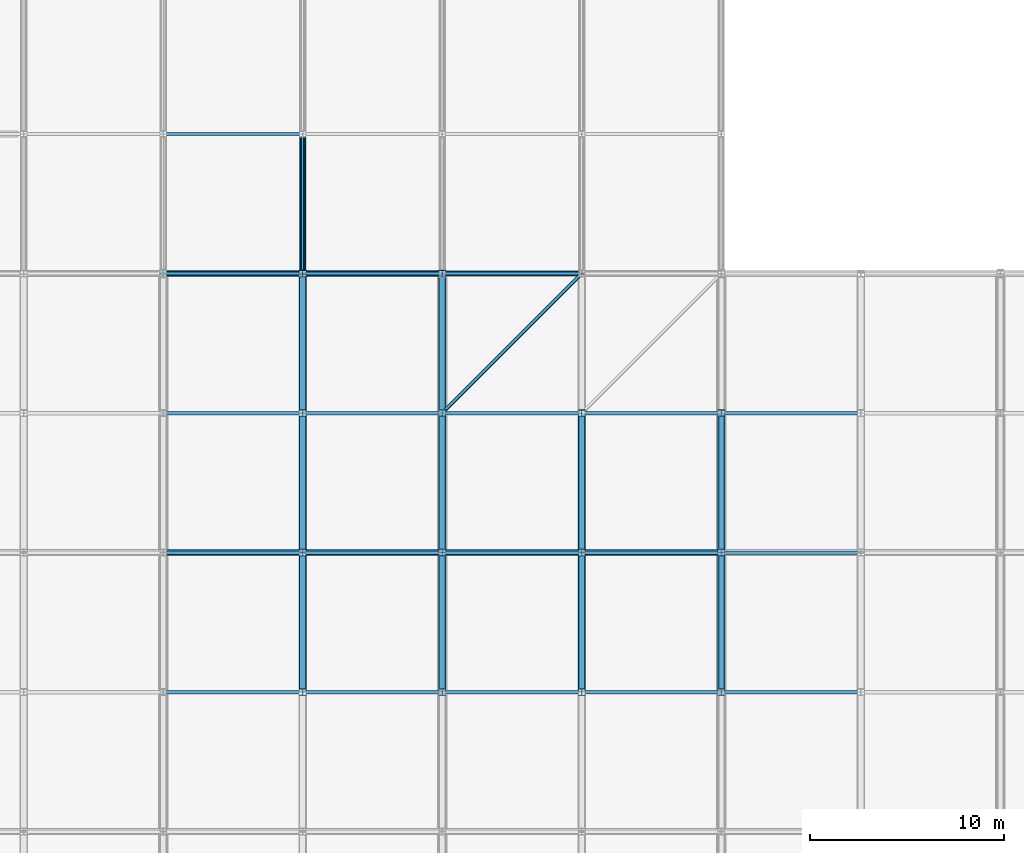
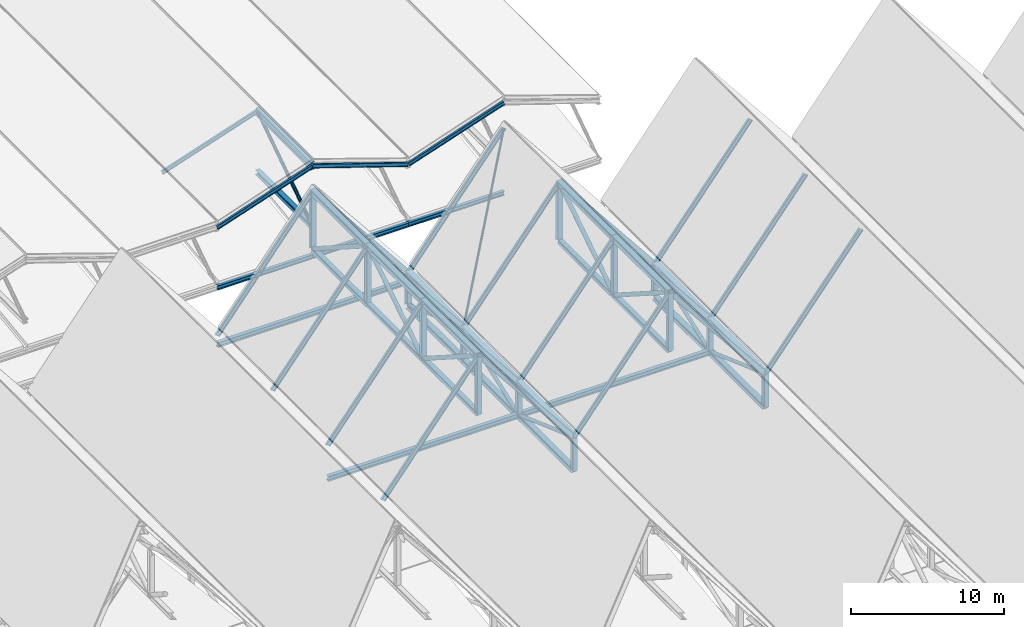
# One storey, part 25 of 60: 70 members, 6 beams.
"""IFC4 building model written with IfcOpenShell, lengths in metres."""

import ifcopenshell
import ifcopenshell.guid

model = None  # the IFC model being written
_history = None  # IfcOwnerHistory: only IFC2X3 demands one
_inside = {}  # id of a spatial element -> (the spatial element, [elements in it])
_under = {}  # id of a project, library or spatial element -> (it, [spatial elements below it])
_declared = {}  # id of a project -> (the project, [libraries it declares])
_typed = {}  # id of a type object -> (the type object, [elements of that type])
_made_of = {}  # id of a material, layer set ... -> (it, [elements and type objects made of it])


def new_model(schema):
    """Start an empty IFC model of exactly this schema.

    Asked for "IFC4X3", IfcOpenShell would pick the latest addendum, in which some entities
    have other attributes; the version numbers below select the first issue.
    IFC2X3 requires an IfcOwnerHistory on every rooted entity: one is made here for all.
    """
    global model, _history
    if schema == "IFC4X3":
        model = ifcopenshell.file(schema_version=(4, 3, 0, 0))
    else:
        model = ifcopenshell.file(schema=schema)
    _inside.clear()
    _under.clear()
    _declared.clear()
    _typed.clear()
    _made_of.clear()
    _history = None
    if model.schema == "IFC2X3":
        org = make("IfcOrganization", Name="unknown")
        user = make(
            "IfcPersonAndOrganization",
            ThePerson=make("IfcPerson", FamilyName="unknown"),
            TheOrganization=org,
        )
        app = make(
            "IfcApplication",
            ApplicationDeveloper=org,
            Version="unknown",
            ApplicationFullName="unknown",
            ApplicationIdentifier="unknown",
        )
        _history = make(
            "IfcOwnerHistory",
            OwningUser=user,
            OwningApplication=app,
            ChangeAction="ADDED",
            CreationDate=0,
        )
    return model


def make(cls, **values):
    """One entity of the class cls with the attributes given. An attribute that is None is left unset."""
    return model.create_entity(
        cls, **{name: value for name, value in values.items() if value is not None}
    )


def rooted(cls, **values):
    """An entity with a GlobalId (a new one), such as an element, a storey or a relation."""
    return make(cls, GlobalId=ifcopenshell.guid.new(), OwnerHistory=_history, **values)


def si_unit(unit_type, name, prefix=None):
    """IfcSIUnit, for example si_unit("LENGTHUNIT", "METRE", prefix="MILLI")."""
    return make("IfcSIUnit", UnitType=unit_type, Prefix=prefix, Name=name)


def assignment(units):
    """IfcUnitAssignment: the units of a project."""
    return None if units is None else make("IfcUnitAssignment", Units=units)


def point(xyz):
    """IfcCartesianPoint."""
    return None if xyz is None else make("IfcCartesianPoint", Coordinates=xyz)


def direction(xyz):
    """IfcDirection."""
    return None if xyz is None else make("IfcDirection", DirectionRatios=xyz)


def frame(location, z_axis=None, x_axis=None):
    """IfcAxis2Placement3D, a coordinate frame: its origin and axes. An axis left out is left unset."""
    return make(
        "IfcAxis2Placement3D",
        Location=point(location),
        Axis=direction(z_axis),
        RefDirection=direction(x_axis),
    )


def frame_2d(location, x_axis=None):
    """IfcAxis2Placement2D, a coordinate frame in the plane: its origin and x axis."""
    return make(
        "IfcAxis2Placement2D", Location=point(location), RefDirection=direction(x_axis)
    )


def origin():
    """The frame at (0, 0, 0) with its axes left unset."""
    return frame((0.0, 0.0, 0.0))


def origin_2d():
    """The frame at (0, 0) in the plane with its x axis left unset."""
    return frame_2d((0.0, 0.0))


def place(relative_to, where):
    """IfcLocalPlacement: puts the frame where relative to a parent placement (None: the world)."""
    return make(
        "IfcLocalPlacement", PlacementRelTo=relative_to, RelativePlacement=where
    )


def context(
    kind, dimensions, precision=None, world=None, true_north=None, identifier=None
):
    """IfcGeometricRepresentationContext, for example the 3D "Model" context."""
    return make(
        "IfcGeometricRepresentationContext",
        ContextIdentifier=identifier,
        ContextType=kind,
        CoordinateSpaceDimension=dimensions,
        Precision=precision,
        WorldCoordinateSystem=world,
        TrueNorth=true_north,
    )


def subcontext(parent, identifier, kind, view, scale=None):
    """IfcGeometricRepresentationSubContext, for example "Body" below "Model"."""
    return make(
        "IfcGeometricRepresentationSubContext",
        ContextIdentifier=identifier,
        ContextType=kind,
        ParentContext=parent,
        TargetScale=scale,
        TargetView=view,
    )


def project(units=None, contexts=None):
    """IfcProject with its units and contexts."""
    return rooted(
        "IfcProject",
        Name="project",
        RepresentationContexts=contexts,
        UnitsInContext=assignment(units),
    )


def spatial(cls, under=None, at=None, **own):
    """A site, building, storey or space (cls), placed at a placement, below another one or the project."""
    s = rooted(cls, ObjectPlacement=at, **own)
    if under is not None:
        _under.setdefault(under.id(), (under, []))[1].append(s)
    return s


def profile(cls, at=None, kind="AREA", **sizes):
    """A parametric profile (cls). Its sizes go by their IFC names, for example OverallWidth=200.0."""
    return make(cls, ProfileType=kind, Position=at, **sizes)


def hollow_circle(**sizes):
    """IfcCircleHollowProfileDef."""
    return profile("IfcCircleHollowProfileDef", **sizes)


def i_section(**sizes):
    """IfcIShapeProfileDef."""
    return profile("IfcIShapeProfileDef", **sizes)


def extrude(swept, where, along, depth):
    """IfcExtrudedAreaSolid: the profile swept, set in the frame where, extruded along a direction by depth."""
    return make(
        "IfcExtrudedAreaSolid",
        SweptArea=swept,
        Position=where,
        ExtrudedDirection=direction(along),
        Depth=depth,
    )


def shape(context_of_items, identifier, shape_type, items):
    """IfcShapeRepresentation: the items that make up one representation, for example the "Body"."""
    return make(
        "IfcShapeRepresentation",
        ContextOfItems=context_of_items,
        RepresentationIdentifier=identifier,
        RepresentationType=shape_type,
        Items=items,
    )


def material(Name=None, Category=None):
    """IfcMaterial."""
    return make("IfcMaterial", Name=Name, Category=Category)


def material_profile(
    of_material, cross_section, Name=None, Category=None, Priority=None
):
    """IfcMaterialProfile: a cross section and its material."""
    return make(
        "IfcMaterialProfile",
        Name=Name,
        Material=of_material,
        Profile=cross_section,
        Priority=Priority,
        Category=Category,
    )


def profile_set(profiles, Name=None, composite=None):
    """IfcMaterialProfileSet."""
    return make(
        "IfcMaterialProfileSet",
        Name=Name,
        MaterialProfiles=profiles,
        CompositeProfile=composite,
    )


def made_of(thing, what):
    """Note that an element or type object is made of a material, layer set ...; save() writes the relation."""
    if what is not None:
        _made_of.setdefault(what.id(), (what, []))[1].append(thing)
    return thing


def type_object(cls, material=None, **own):
    """A type object (cls), such as IfcWallType, which elements share."""
    return made_of(rooted(cls, **own), material)


def element(
    cls,
    number,
    at=None,
    inside=None,
    cuts=None,
    type_object=None,
    material=None,
    context=None,
    identifier="Body",
    shape_type=None,
    held_by="IfcProductDefinitionShape",
    body=None,
    shapes=None,
    **own,
):
    """One element of the class cls, such as IfcWall. Its Tag is "e" and its number.

    at: its placement. inside: the storey or other place that contains it. cuts: it is an
    opening in that element (IfcRelVoidsElement). A single representation is given by context,
    identifier, shape_type and body (its items); several are given by shapes. held_by: the class
    of the entity that holds the representations. save() writes the other relations.
    """
    e = rooted(cls, Tag="e%d" % number, ObjectPlacement=at, **own)
    if body is not None:
        shapes = [shape(context, identifier, shape_type, body)]
    if shapes is not None:
        e.Representation = make(held_by, Representations=shapes)
    if inside is not None:
        _inside.setdefault(inside.id(), (inside, []))[1].append(e)
    if cuts is not None:
        rooted(
            "IfcRelVoidsElement", RelatingBuildingElement=cuts, RelatedOpeningElement=e
        )
    if type_object is not None:
        _typed.setdefault(type_object.id(), (type_object, []))[1].append(e)
    return made_of(e, material)


def aggregate(whole, parts):
    """IfcRelAggregates: a whole, such as a stair, and the parts it consists of."""
    return rooted("IfcRelAggregates", RelatingObject=whole, RelatedObjects=parts)


def save(model, path):
    """Write the relations noted so far, then the file.

    IfcRelAggregates (storeys below a building ...), IfcRelContainedInSpatialStructure (elements
    in a storey), IfcRelDefinesByType, IfcRelAssociatesMaterial and IfcRelDeclares: one each for
    every whole, place, type object, material and project.
    """
    for whole, parts in _under.values():
        aggregate(whole, parts)
    for where, things in _inside.values():
        rooted(
            "IfcRelContainedInSpatialStructure",
            RelatedElements=things,
            RelatingStructure=where,
        )
    for kind, things in _typed.values():
        rooted("IfcRelDefinesByType", RelatedObjects=things, RelatingType=kind)
    for what, things in _made_of.values():
        rooted("IfcRelAssociatesMaterial", RelatedObjects=things, RelatingMaterial=what)
    for by, libraries in _declared.values():
        rooted("IfcRelDeclares", RelatingContext=by, RelatedDefinitions=libraries)
    model.write(path)


model = new_model("IFC4")

# Units and contexts
model_context = context("Model", 3, precision=1e-05, world=origin(), true_north=direction((0.0, 1.0)))
body_context = subcontext(model_context, "Body", "Model", "MODEL_VIEW")
ifc_project = project(units=[si_unit("LENGTHUNIT", "METRE"), si_unit("AREAUNIT", "SQUARE_METRE"), si_unit("VOLUMEUNIT", "CUBIC_METRE"), si_unit("PLANEANGLEUNIT", "RADIAN"), si_unit("MASSUNIT", "GRAM", prefix="KILO")], contexts=[model_context])

# Site, building, storey
site_placement = place(None, origin())
site = spatial("IfcSite", under=ifc_project, at=site_placement, CompositionType="ELEMENT")
building_placement = place(site_placement, origin())
building = spatial("IfcBuilding", under=site, at=building_placement, Name="Vesperath Aquatics Centre", CompositionType="ELEMENT")
storey_placement = place(building_placement, frame((0.0, 0.0, 27.60009765625)))
storey = spatial("IfcBuildingStorey", under=building, at=storey_placement, Name="RF", CompositionType="ELEMENT", Elevation=27.60009765625)

# Beams
ifc_material_1 = material(Name="Steel Q355C", Category="steel")
ifc_material_profile_1 = material_profile(ifc_material_1, i_section(OverallWidth=0.300048828125, OverallDepth=0.389892578125, WebThickness=0.010009765625, FlangeThickness=0.01611328125, FilletRadius=0.02197265625, at=origin_2d()), Name="HM 390x300x10x16")
ifc_profile_set_1 = profile_set([ifc_material_profile_1], Name="Steel Q355C")
beam_type_1 = type_object("IfcBeamType", Name="BM-RB02", PredefinedType="BEAM", material=ifc_profile_set_1)
beam_1_placement = place(storey_placement, frame((28.800048828125, 72.0, -12.400146484375), z_axis=(1.0, 0.0, 0.0), x_axis=(0.0, 1.0, 0.0)))
element("IfcBeam", 1, at=beam_1_placement, inside=storey, type_object=beam_type_1, Name="Natatorium Roof Deck Support Beam B11 G3-72.0", PredefinedType="BEAM", context=body_context, shape_type="SweptSolid", body=[
    extrude(i_section(OverallWidth=0.300048828125, OverallDepth=0.389892578125, WebThickness=0.010009765625, FlangeThickness=0.01611328125, FilletRadius=0.02197265625, at=origin_2d()), origin(), (0.0, 0.0, 1.0), 14.39990234375),
])
beam_2_placement = place(storey_placement, frame((43.199951171875, 72.0, -12.400146484375), z_axis=(1.0, 0.0, 0.0), x_axis=(0.0, 1.0, 0.0)))
element("IfcBeam", 2, at=beam_2_placement, inside=storey, type_object=beam_type_1, Name="Natatorium Roof Deck Support Beam B11 G4-72.0", PredefinedType="BEAM", context=body_context, shape_type="SweptSolid", body=[
    extrude(i_section(OverallWidth=0.300048828125, OverallDepth=0.389892578125, WebThickness=0.010009765625, FlangeThickness=0.01611328125, FilletRadius=0.02197265625, at=origin_2d()), origin(), (0.0, 0.0, 1.0), 14.400146484375),
])
ifc_material_profile_2 = material_profile(ifc_material_1, i_section(OverallWidth=0.300048828125, OverallDepth=0.389892578125, WebThickness=0.010009765625, FlangeThickness=0.01611328125, FilletRadius=0.02197265625, at=origin_2d()), Name="HM 390x300x10x16")
ifc_profile_set_2 = profile_set([ifc_material_profile_2], Name="Steel Q355C")
beam_type_2 = type_object("IfcBeamType", Name="BM-RB03", PredefinedType="BEAM", material=ifc_profile_set_2)
beam_3_placement = place(storey_placement, frame((28.800048828125, 86.39990234375, -10.478759765625), z_axis=(1.0, 0.0, 0.0), x_axis=(0.0, 1.0, 0.0)))
element("IfcBeam", 3, at=beam_3_placement, inside=storey, type_object=beam_type_2, Name="Natatorium Roof Deck Support Beam B11 G3-86.4", PredefinedType="BEAM", context=body_context, shape_type="SweptSolid", body=[
    extrude(i_section(OverallWidth=0.300048828125, OverallDepth=0.389892578125, WebThickness=0.010009765625, FlangeThickness=0.01611328125, FilletRadius=0.02197265625, at=origin_2d()), origin(), (0.0, 0.0, 1.0), 14.39990234375),
])
ifc_material_profile_3 = material_profile(ifc_material_1, i_section(OverallWidth=0.25, OverallDepth=0.340087890625, WebThickness=0.009033203125, FlangeThickness=0.013916015625, FilletRadius=0.02001953125, at=origin_2d()), Name="HM 340x250x9x14")
ifc_profile_set_3 = profile_set([ifc_material_profile_3], Name="Steel Q355C")
beam_type_3 = type_object("IfcBeamType", Name="BM-RB07", PredefinedType="BEAM", material=ifc_profile_set_3)
for number, where, z_axis, x_axis, name in (
    (4, (28.800048828125, 86.39990234375, -5.9501953125), (1.0, 0.0, 0.0), (0.0, 1.0, 0.0), "Diving Roof Support Beam B12 South 5"),
    (5, (36.0, 86.39990234375, -5.9501953125), (1.0, 0.0, 0.0), (0.0, 1.0, 0.0), "Diving Roof Support Beam B12 South 6"),
    (6, (43.199951171875, 86.39990234375, -5.9501953125), (1.0, 0.0, 0.0), (0.0, 1.0, 0.0), "Diving Roof Support Beam B12 South 7"),
):
    element("IfcBeam", number, at=place(storey_placement, frame(where, z_axis=z_axis, x_axis=x_axis)), inside=storey, type_object=beam_type_3, Name=name, PredefinedType="BEAM", context=body_context, shape_type="SweptSolid", body=[
        extrude(i_section(OverallWidth=0.25, OverallDepth=0.340087890625, WebThickness=0.009033203125, FlangeThickness=0.013916015625, FilletRadius=0.02001953125, at=origin_2d()), origin(), (0.0, 0.0, 1.0), 7.199951171875),
    ])

# Members
ifc_material_2 = material(Name="Steel Q355D", Category="steel")
ifc_material_profile_4 = material_profile(ifc_material_2, i_section(OverallWidth=0.39990234375, OverallDepth=0.39990234375, WebThickness=0.012939453125, FlangeThickness=0.02099609375, FilletRadius=0.02197265625, at=origin_2d()), Name="HW 400x400x13x21")
ifc_profile_set_4 = profile_set([ifc_material_profile_4], Name="Steel Q355D")
member_type_1 = type_object("IfcMemberType", Name="MB-BC01", PredefinedType="CHORD", material=ifc_profile_set_4)
for number, where, z_axis, x_axis, name in (
    (7, (43.199951171875, 64.800048828125, -12.400146484375), (0.0, 1.0, 0.0), (-1.0, 0.0, 0.0), "Natatorium ROOF TRUSS Bottom Chord BC01 G7-10"),
    (8, (43.199951171875, 72.0, -12.400146484375), (0.0, 1.0, 0.0), (-1.0, 0.0, 0.0), "Natatorium ROOF TRUSS Bottom Chord BC01 G7-11"),
    (9, (43.199951171875, 79.199951171875, -12.400146484375), (0.0, 1.0, 0.0), (-1.0, 0.0, 0.0), "Natatorium ROOF TRUSS Bottom Chord BC01 G7-12"),
    (10, (57.60009765625, 64.800048828125, -12.400146484375), (0.0, 1.0, 0.0), (-1.0, 0.0, 0.0), "Natatorium ROOF TRUSS Bottom Chord BC01 G9-10"),
    (11, (57.60009765625, 72.0, -12.400146484375), (0.0, 1.0, 0.0), (-1.0, 0.0, 0.0), "Natatorium ROOF TRUSS Bottom Chord BC01 G9-11"),
):
    element("IfcMember", number, at=place(storey_placement, frame(where, z_axis=z_axis, x_axis=x_axis)), inside=storey, type_object=member_type_1, Name=name, PredefinedType="CHORD", context=body_context, shape_type="SweptSolid", body=[
        extrude(i_section(OverallWidth=0.39990234375, OverallDepth=0.39990234375, WebThickness=0.012939453125, FlangeThickness=0.02099609375, FilletRadius=0.02197265625, at=origin_2d()), origin(), (0.0, 0.0, 1.0), 7.199951171875),
    ])
ifc_material_profile_5 = material_profile(ifc_material_2, i_section(OverallWidth=0.35009765625, OverallDepth=0.35009765625, WebThickness=0.011962890625, FlangeThickness=0.01904296875, FilletRadius=0.02001953125, at=origin_2d()), Name="HW 350x350x12x19")
ifc_profile_set_5 = profile_set([ifc_material_profile_5], Name="Steel Q355D")
member_type_2 = type_object("IfcMemberType", Name="MB-BC02", PredefinedType="CHORD", material=ifc_profile_set_5)
for number, where, z_axis, x_axis, name in (
    (12, (36.0, 64.800048828125, -5.400146484375), (0.0, 1.0, 0.0), (-1.0, 0.0, 0.0), "Natatorium ROOF TRUSS Bottom Chord BC02 G6-10"),
    (13, (36.0, 72.0, -5.400146484375), (0.0, 1.0, 0.0), (-1.0, 0.0, 0.0), "Natatorium ROOF TRUSS Bottom Chord BC02 G6-11"),
    (14, (36.0, 79.199951171875, -5.400146484375), (0.0, 1.0, 0.0), (-1.0, 0.0, 0.0), "Natatorium ROOF TRUSS Bottom Chord BC02 G6-12"),
    (15, (50.39990234375, 64.800048828125, -5.400146484375), (0.0, 1.0, 0.0), (-1.0, 0.0, 0.0), "Natatorium ROOF TRUSS Bottom Chord BC02 G8-10"),
    (16, (50.39990234375, 72.0, -5.400146484375), (0.0, 1.0, 0.0), (-1.0, 0.0, 0.0), "Natatorium ROOF TRUSS Bottom Chord BC02 G8-11"),
):
    element("IfcMember", number, at=place(storey_placement, frame(where, z_axis=z_axis, x_axis=x_axis)), inside=storey, type_object=member_type_2, Name=name, PredefinedType="CHORD", context=body_context, shape_type="SweptSolid", body=[
        extrude(i_section(OverallWidth=0.35009765625, OverallDepth=0.35009765625, WebThickness=0.011962890625, FlangeThickness=0.01904296875, FilletRadius=0.02001953125, at=origin_2d()), origin(), (0.0, 0.0, 1.0), 7.199951171875),
    ])
member_1_placement = place(storey_placement, frame((36.0, 86.39990234375, -3.60009765625), z_axis=(0.0, 1.0, 0.0), x_axis=(-1.0, 0.0, 0.0)))
element("IfcMember", 17, at=member_1_placement, inside=storey, type_object=member_type_2, Name="Diving ROOF TRUSS Bottom Chord BC02 G6-1", PredefinedType="CHORD", context=body_context, shape_type="SweptSolid", body=[
    extrude(i_section(OverallWidth=0.35009765625, OverallDepth=0.35009765625, WebThickness=0.011962890625, FlangeThickness=0.01904296875, FilletRadius=0.02001953125, at=origin_2d()), origin(), (0.0, 0.0, 1.0), 7.2001953125),
])
ifc_material_profile_6 = material_profile(ifc_material_2, hollow_circle(Radius=0.084228515625, WallThickness=0.008056640625, at=origin_2d()), Name="CHS 168.3x8")
ifc_profile_set_6 = profile_set([ifc_material_profile_6], Name="Steel Q355D")
member_type_3 = type_object("IfcMemberType", Name="MB-BR01", PredefinedType="BRACE", material=ifc_profile_set_6)
member_2_placement = place(storey_placement, frame((43.242431640625, 79.242431640625, -9.7470703125), z_axis=(0.529812942826, 0.529812942826, 0.662266178533), x_axis=(-0.707106781187, 0.707106781187, 0.0)))
element("IfcMember", 18, at=member_2_placement, inside=storey, type_object=member_type_3, Name="Natatorium Roof Brace BR01 B7-79", PredefinedType="BRACE", context=body_context, shape_type="SweptSolid", body=[
    extrude(hollow_circle(Radius=0.084228515625, WallThickness=0.008056640625, at=origin_2d()), origin(), (0.0, 0.0, 1.0), 13.4296875),
])
ifc_material_profile_7 = material_profile(ifc_material_1, i_section(OverallWidth=0.175048828125, OverallDepth=0.35009765625, WebThickness=0.007080078125, FlangeThickness=0.010986328125, FilletRadius=0.012939453125, at=origin_2d()), Name="HN 350x175x7x11")
ifc_profile_set_7 = profile_set([ifc_material_profile_7], Name="Steel Q355C")
member_type_4 = type_object("IfcMemberType", Name="MB-PR01", PredefinedType="PURLIN", material=ifc_profile_set_7)
for number, where, z_axis, x_axis, name in (
    (19, (28.800048828125, 64.800048828125, -9.800048828125), (0.624692464322, 0.0, 0.780870876022), (0.0, 1.0, 0.0), "Natatorium Roof Purlin PR01 B5-8"),
    (20, (28.800048828125, 72.0, -9.800048828125), (0.624692464322, 0.0, 0.780870876022), (0.0, 1.0, 0.0), "Natatorium Roof Purlin PR01 B5-9"),
    (21, (28.800048828125, 79.199951171875, -9.800048828125), (0.624692464322, 0.0, 0.780870876022), (0.0, 1.0, 0.0), "Natatorium Roof Purlin PR01 B5-10"),
    (22, (28.800048828125, 86.39990234375, -9.800048828125), (0.624692464322, 0.0, 0.780870876022), (0.0, 1.0, 0.0), "Natatorium Roof Purlin PR01 B5-11"),
    (23, (36.0, 64.800048828125, -0.800048828125), (0.624692464322, 0.0, -0.780870876022), (0.0, 1.0, 0.0), "Natatorium Roof Purlin PR01 B6-8"),
    (24, (36.0, 72.0, -0.800048828125), (0.624692464322, 0.0, -0.780870876022), (0.0, 1.0, 0.0), "Natatorium Roof Purlin PR01 B6-9"),
    (25, (36.0, 79.199951171875, -0.800048828125), (0.624692464322, 0.0, -0.780870876022), (0.0, 1.0, 0.0), "Natatorium Roof Purlin PR01 B6-10"),
    (26, (36.0, 86.39990234375, -0.800048828125), (0.624692464322, 0.0, -0.780870876022), (0.0, 1.0, 0.0), "Natatorium Roof Purlin PR01 B6-11"),
    (27, (43.199951171875, 64.800048828125, -9.800048828125), (0.624692464322, 0.0, 0.780870876022), (0.0, 1.0, 0.0), "Natatorium Roof Purlin PR01 B7-8"),
    (28, (43.199951171875, 72.0, -9.800048828125), (0.624692464322, 0.0, 0.780870876022), (0.0, 1.0, 0.0), "Natatorium Roof Purlin PR01 B7-9"),
    (29, (43.199951171875, 79.199951171875, -9.800048828125), (0.624692464322, 0.0, 0.780870876022), (0.0, 1.0, 0.0), "Natatorium Roof Purlin PR01 B7-10"),
    (30, (43.199951171875, 86.39990234375, -9.800048828125), (0.624692464322, 0.0, 0.780870876022), (0.0, 1.0, 0.0), "Natatorium Roof Purlin PR01 B7-11"),
    (31, (50.39990234375, 64.800048828125, -0.800048828125), (0.624705380279, 0.0, -0.780860543151), (0.0, 1.0, 0.0), "Natatorium Roof Purlin PR01 B8-8"),
    (32, (50.39990234375, 72.0, -0.800048828125), (0.624705380279, 0.0, -0.780860543151), (0.0, 1.0, 0.0), "Natatorium Roof Purlin PR01 B8-9"),
    (33, (50.39990234375, 79.199951171875, -0.800048828125), (0.624705380279, 0.0, -0.780860543151), (0.0, 1.0, 0.0), "Natatorium Roof Purlin PR01 B8-10"),
    (34, (57.60009765625, 64.800048828125, -9.800048828125), (0.624692464322, 0.0, 0.780870876022), (0.0, 1.0, 0.0), "Natatorium Roof Purlin PR01 B9-8"),
    (35, (57.60009765625, 72.0, -9.800048828125), (0.624692464322, 0.0, 0.780870876022), (0.0, 1.0, 0.0), "Natatorium Roof Purlin PR01 B9-9"),
    (36, (57.60009765625, 79.199951171875, -9.800048828125), (0.624692464322, 0.0, 0.780870876022), (0.0, 1.0, 0.0), "Natatorium Roof Purlin PR01 B9-10"),
):
    element("IfcMember", number, at=place(storey_placement, frame(where, z_axis=z_axis, x_axis=x_axis)), inside=storey, type_object=member_type_4, Name=name, PredefinedType="PURLIN", context=body_context, shape_type="SweptSolid", body=[
        extrude(i_section(OverallWidth=0.175048828125, OverallDepth=0.35009765625, WebThickness=0.007080078125, FlangeThickness=0.010986328125, FilletRadius=0.012939453125, at=origin_2d()), origin(), (0.0, 0.0, 1.0), 11.525634765625),
    ])
ifc_material_profile_8 = material_profile(ifc_material_1, i_section(OverallWidth=0.14990234375, OverallDepth=0.300048828125, WebThickness=0.006591796875, FlangeThickness=0.009033203125, FilletRadius=0.012939453125, at=origin_2d()), Name="HN 300x150x6.5x9")
ifc_profile_set_8 = profile_set([ifc_material_profile_8], Name="Steel Q355C")
member_type_5 = type_object("IfcMemberType", Name="MB-PR02", PredefinedType="PURLIN", material=ifc_profile_set_8)
for number, where, z_axis, x_axis, name in (
    (37, (28.800048828125, 86.39990234375, -1.2001953125), (0.948676864184, 0.0, 0.316247066962), (0.0, 1.0, 0.0), "Diving Roof Purlin PR02 5-1"),
    (38, (28.800048828125, 93.60009765625, -1.2001953125), (0.948676864184, 0.0, 0.316247066962), (0.0, 1.0, 0.0), "Diving Roof Purlin PR02 5-2"),
    (39, (36.0, 86.39990234375, 1.199951171875), (0.948676864184, 0.0, -0.316247066962), (0.0, 1.0, 0.0), "Diving Roof Purlin PR02 6-1"),
    (40, (43.199951171875, 86.39990234375, -1.2001953125), (0.948676864184, 0.0, 0.316247066962), (0.0, 1.0, 0.0), "Diving Roof Purlin PR02 7-1"),
):
    element("IfcMember", number, at=place(storey_placement, frame(where, z_axis=z_axis, x_axis=x_axis)), inside=storey, type_object=member_type_5, Name=name, PredefinedType="PURLIN", context=body_context, shape_type="SweptSolid", body=[
        extrude(i_section(OverallWidth=0.14990234375, OverallDepth=0.300048828125, WebThickness=0.006591796875, FlangeThickness=0.009033203125, FilletRadius=0.012939453125, at=origin_2d()), origin(), (0.0, 0.0, 1.0), 7.58935546875),
    ])
ifc_material_profile_9 = material_profile(ifc_material_2, i_section(OverallWidth=0.406982421875, OverallDepth=0.427978515625, WebThickness=0.02001953125, FlangeThickness=0.034912109375, FilletRadius=0.02197265625, at=origin_2d()), Name="HW 428x407x20x35")
ifc_profile_set_9 = profile_set([ifc_material_profile_9], Name="Steel Q355D")
member_type_6 = type_object("IfcMemberType", Name="MB-TC01", PredefinedType="CHORD", material=ifc_profile_set_9)
for number, where, z_axis, x_axis, name in (
    (41, (36.0, 64.800048828125, -0.800048828125), (0.0, 1.0, 0.0), (-1.0, 0.0, 0.0), "Natatorium ROOF TRUSS Top Chord TC01 G6-10"),
    (42, (36.0, 72.0, -0.800048828125), (0.0, 1.0, 0.0), (-1.0, 0.0, 0.0), "Natatorium ROOF TRUSS Top Chord TC01 G6-11"),
    (43, (36.0, 79.199951171875, -0.800048828125), (0.0, 1.0, 0.0), (-1.0, 0.0, 0.0), "Natatorium ROOF TRUSS Top Chord TC01 G6-12"),
    (44, (50.39990234375, 64.800048828125, -0.800048828125), (0.0, 1.0, 0.0), (-1.0, 0.0, 0.0), "Natatorium ROOF TRUSS Top Chord TC01 G8-10"),
    (45, (50.39990234375, 72.0, -0.800048828125), (0.0, 1.0, 0.0), (-1.0, 0.0, 0.0), "Natatorium ROOF TRUSS Top Chord TC01 G8-11"),
):
    element("IfcMember", number, at=place(storey_placement, frame(where, z_axis=z_axis, x_axis=x_axis)), inside=storey, type_object=member_type_6, Name=name, PredefinedType="CHORD", context=body_context, shape_type="SweptSolid", body=[
        extrude(i_section(OverallWidth=0.406982421875, OverallDepth=0.427978515625, WebThickness=0.02001953125, FlangeThickness=0.034912109375, FilletRadius=0.02197265625, at=origin_2d()), origin(), (0.0, 0.0, 1.0), 7.199951171875),
    ])
ifc_material_profile_10 = material_profile(ifc_material_2, i_section(OverallWidth=0.39990234375, OverallDepth=0.39990234375, WebThickness=0.012939453125, FlangeThickness=0.02099609375, FilletRadius=0.02197265625, at=origin_2d()), Name="HW 400x400x13x21")
ifc_profile_set_10 = profile_set([ifc_material_profile_10], Name="Steel Q355D")
member_type_7 = type_object("IfcMemberType", Name="MB-TC02", PredefinedType="CHORD", material=ifc_profile_set_10)
for number, where, z_axis, x_axis, name in (
    (46, (43.199951171875, 64.800048828125, -9.800048828125), (0.0, 1.0, 0.0), (-1.0, 0.0, 0.0), "Natatorium ROOF TRUSS Top Chord TC02 G7-10"),
    (47, (43.199951171875, 72.0, -9.800048828125), (0.0, 1.0, 0.0), (-1.0, 0.0, 0.0), "Natatorium ROOF TRUSS Top Chord TC02 G7-11"),
    (48, (43.199951171875, 79.199951171875, -9.800048828125), (0.0, 1.0, 0.0), (-1.0, 0.0, 0.0), "Natatorium ROOF TRUSS Top Chord TC02 G7-12"),
    (49, (57.60009765625, 64.800048828125, -9.800048828125), (0.0, 1.0, 0.0), (-1.0, 0.0, 0.0), "Natatorium ROOF TRUSS Top Chord TC02 G9-10"),
    (50, (57.60009765625, 72.0, -9.800048828125), (0.0, 1.0, 0.0), (-1.0, 0.0, 0.0), "Natatorium ROOF TRUSS Top Chord TC02 G9-11"),
):
    element("IfcMember", number, at=place(storey_placement, frame(where, z_axis=z_axis, x_axis=x_axis)), inside=storey, type_object=member_type_7, Name=name, PredefinedType="CHORD", context=body_context, shape_type="SweptSolid", body=[
        extrude(i_section(OverallWidth=0.39990234375, OverallDepth=0.39990234375, WebThickness=0.012939453125, FlangeThickness=0.02099609375, FilletRadius=0.02197265625, at=origin_2d()), origin(), (0.0, 0.0, 1.0), 7.199951171875),
    ])
ifc_material_profile_11 = material_profile(ifc_material_2, i_section(OverallWidth=0.300048828125, OverallDepth=0.587890625, WebThickness=0.011962890625, FlangeThickness=0.02001953125, FilletRadius=0.028076171875, at=origin_2d()), Name="HM 588x300x12x20")
ifc_profile_set_11 = profile_set([ifc_material_profile_11], Name="Steel Q355D")
member_type_8 = type_object("IfcMemberType", Name="MB-TC03", PredefinedType="CHORD", material=ifc_profile_set_11)
member_3_placement = place(storey_placement, frame((36.0, 86.39990234375, 1.199951171875), z_axis=(0.0, 1.0, 0.0), x_axis=(-1.0, 0.0, 0.0)))
element("IfcMember", 51, at=member_3_placement, inside=storey, type_object=member_type_8, Name="Diving ROOF TRUSS Top Chord TC03 G6-1", PredefinedType="CHORD", context=body_context, shape_type="SweptSolid", body=[
    extrude(i_section(OverallWidth=0.300048828125, OverallDepth=0.587890625, WebThickness=0.011962890625, FlangeThickness=0.02001953125, FilletRadius=0.028076171875, at=origin_2d()), origin(), (0.0, 0.0, 1.0), 7.2001953125),
])
ifc_material_profile_12 = material_profile(ifc_material_2, hollow_circle(Radius=0.161865234375, WallThickness=0.013916015625, at=origin_2d()), Name="CHS 323.9x14")
ifc_profile_set_12 = profile_set([ifc_material_profile_12], Name="Steel Q355D")
member_type_9 = type_object("IfcMemberType", Name="MB-TD01", PredefinedType="BRACE", material=ifc_profile_set_12)
for number, where, z_axis, x_axis, name in (
    (52, (36.0, 64.867431640625, -0.84326171875), (0.0, 0.84270690245, -0.538372618698), (-1.0, 0.0, 0.0), "Natatorium ROOF TRUSS Diagonal TD01 G6-10"),
    (53, (36.0, 72.0673828125, -5.35693359375), (0.0, 0.84270690245, 0.538372618698), (-1.0, 0.0, 0.0), "Natatorium ROOF TRUSS Diagonal TD01 G6-11"),
    (54, (36.0, 79.267333984375, -0.84326171875), (0.0, 0.84270690245, -0.538372618698), (-1.0, 0.0, 0.0), "Natatorium ROOF TRUSS Diagonal TD01 G6-12"),
    (55, (50.39990234375, 64.867431640625, -0.84326171875), (0.0, 0.84270690245, -0.538372618698), (-1.0, 0.0, 0.0), "Natatorium ROOF TRUSS Diagonal TD01 G8-10"),
    (56, (50.39990234375, 72.0673828125, -5.35693359375), (0.0, 0.84270690245, 0.538372618698), (-1.0, 0.0, 0.0), "Natatorium ROOF TRUSS Diagonal TD01 G8-11"),
):
    element("IfcMember", number, at=place(storey_placement, frame(where, z_axis=z_axis, x_axis=x_axis)), inside=storey, type_object=member_type_9, Name=name, PredefinedType="BRACE", context=body_context, shape_type="SweptSolid", body=[
        extrude(hollow_circle(Radius=0.161865234375, WallThickness=0.013916015625, at=origin_2d()), origin(), (0.0, 0.0, 1.0), 8.384033203125),
    ])
ifc_material_profile_13 = material_profile(ifc_material_2, hollow_circle(Radius=0.136474609375, WallThickness=0.011962890625, at=origin_2d()), Name="CHS 273.0x12")
ifc_profile_set_13 = profile_set([ifc_material_profile_13], Name="Steel Q355D")
member_type_10 = type_object("IfcMemberType", Name="MB-TD02", PredefinedType="BRACE", material=ifc_profile_set_13)
for number, where, z_axis, x_axis, name in (
    (57, (43.199951171875, 64.875244140625, -9.8271484375), (0.0, 0.940544360889, -0.339670877761), (-1.0, 0.0, 0.0), "Natatorium ROOF TRUSS Diagonal TD02 G7-10"),
    (58, (43.199951171875, 72.0751953125, -12.373046875), (0.0, 0.940544360889, 0.339670877761), (-1.0, 0.0, 0.0), "Natatorium ROOF TRUSS Diagonal TD02 G7-11"),
    (59, (43.199951171875, 79.275146484375, -9.8271484375), (0.0, 0.940544360889, -0.339670877761), (-1.0, 0.0, 0.0), "Natatorium ROOF TRUSS Diagonal TD02 G7-12"),
    (60, (57.60009765625, 64.875244140625, -9.8271484375), (0.0, 0.940544360889, -0.339670877761), (-1.0, 0.0, 0.0), "Natatorium ROOF TRUSS Diagonal TD02 G9-10"),
    (61, (57.60009765625, 72.0751953125, -12.373046875), (0.0, 0.940544360889, 0.339670877761), (-1.0, 0.0, 0.0), "Natatorium ROOF TRUSS Diagonal TD02 G9-11"),
):
    element("IfcMember", number, at=place(storey_placement, frame(where, z_axis=z_axis, x_axis=x_axis)), inside=storey, type_object=member_type_10, Name=name, PredefinedType="BRACE", context=body_context, shape_type="SweptSolid", body=[
        extrude(hollow_circle(Radius=0.136474609375, WallThickness=0.011962890625, at=origin_2d()), origin(), (0.0, 0.0, 1.0), 7.4951171875),
    ])
ifc_material_profile_14 = material_profile(ifc_material_2, hollow_circle(Radius=0.122314453125, WallThickness=0.011962890625, at=origin_2d()), Name="CHS 244.5x12")
ifc_profile_set_14 = profile_set([ifc_material_profile_14], Name="Steel Q355D")
member_type_11 = type_object("IfcMemberType", Name="MB-TD03", PredefinedType="BRACE", material=ifc_profile_set_14)
member_4_placement = place(storey_placement, frame((36.0, 86.466552734375, -3.5556640625), z_axis=(0.0, 0.832054716629, 0.554693562731), x_axis=(-1.0, 0.0, 0.0)))
element("IfcMember", 62, at=member_4_placement, inside=storey, type_object=member_type_11, Name="Diving ROOF TRUSS Diagonal TD03 G6-1", PredefinedType="BRACE", context=body_context, shape_type="SweptSolid", body=[
    extrude(hollow_circle(Radius=0.122314453125, WallThickness=0.011962890625, at=origin_2d()), origin(), (0.0, 0.0, 1.0), 8.493408203125),
])
ifc_material_profile_15 = material_profile(ifc_material_2, i_section(OverallWidth=0.35009765625, OverallDepth=0.35009765625, WebThickness=0.011962890625, FlangeThickness=0.01904296875, FilletRadius=0.02001953125, at=origin_2d()), Name="HW 350x350x12x19")
ifc_profile_set_15 = profile_set([ifc_material_profile_15], Name="Steel Q355D")
member_type_12 = type_object("IfcMemberType", Name="MB-TP01", PredefinedType="POST", material=ifc_profile_set_15)
for number, where, z_axis, x_axis, name in (
    (63, (36.0, 64.800048828125, -5.400146484375), (0.0, 0.0, 1.0), (1.0, 0.0, 0.0), "Natatorium ROOF TRUSS Post TP01 G6-10"),
    (64, (36.0, 72.0, -5.400146484375), (0.0, 0.0, 1.0), (1.0, 0.0, 0.0), "Natatorium ROOF TRUSS Post TP01 G6-11"),
    (65, (36.0, 79.199951171875, -5.400146484375), (0.0, 0.0, 1.0), (1.0, 0.0, 0.0), "Natatorium ROOF TRUSS Post TP01 G6-12"),
    (66, (36.0, 86.39990234375, -5.400146484375), (0.0, 0.0, 1.0), (1.0, 0.0, 0.0), "Natatorium ROOF TRUSS Post TP01 G6-13"),
):
    element("IfcMember", number, at=place(storey_placement, frame(where, z_axis=z_axis, x_axis=x_axis)), inside=storey, type_object=member_type_12, Name=name, PredefinedType="POST", context=body_context, shape_type="SweptSolid", body=[
        extrude(i_section(OverallWidth=0.35009765625, OverallDepth=0.35009765625, WebThickness=0.011962890625, FlangeThickness=0.01904296875, FilletRadius=0.02001953125, at=origin_2d()), origin(), (0.0, 0.0, 1.0), 4.60009765625),
    ])
for number, where, z_axis, x_axis, name in (
    (67, (43.199951171875, 64.800048828125, -12.400146484375), (0.0, 0.0, 1.0), (1.0, 0.0, 0.0), "Natatorium ROOF TRUSS Post TP01 G7-10"),
    (68, (43.199951171875, 72.0, -12.400146484375), (0.0, 0.0, 1.0), (1.0, 0.0, 0.0), "Natatorium ROOF TRUSS Post TP01 G7-11"),
    (69, (43.199951171875, 79.199951171875, -12.400146484375), (0.0, 0.0, 1.0), (1.0, 0.0, 0.0), "Natatorium ROOF TRUSS Post TP01 G7-12"),
    (70, (43.199951171875, 86.39990234375, -12.400146484375), (0.0, 0.0, 1.0), (1.0, 0.0, 0.0), "Natatorium ROOF TRUSS Post TP01 G7-13"),
):
    element("IfcMember", number, at=place(storey_placement, frame(where, z_axis=z_axis, x_axis=x_axis)), inside=storey, type_object=member_type_12, Name=name, PredefinedType="POST", context=body_context, shape_type="SweptSolid", body=[
        extrude(i_section(OverallWidth=0.35009765625, OverallDepth=0.35009765625, WebThickness=0.011962890625, FlangeThickness=0.01904296875, FilletRadius=0.02001953125, at=origin_2d()), origin(), (0.0, 0.0, 1.0), 2.60009765625),
    ])
for number, where, z_axis, x_axis, name in (
    (71, (50.39990234375, 64.800048828125, -5.400146484375), (0.0, 0.0, 1.0), (1.0, 0.0, 0.0), "Natatorium ROOF TRUSS Post TP01 G8-10"),
    (72, (50.39990234375, 72.0, -5.400146484375), (0.0, 0.0, 1.0), (1.0, 0.0, 0.0), "Natatorium ROOF TRUSS Post TP01 G8-11"),
    (73, (50.39990234375, 79.199951171875, -5.400146484375), (0.0, 0.0, 1.0), (1.0, 0.0, 0.0), "Natatorium ROOF TRUSS Post TP01 G8-12"),
):
    element("IfcMember", number, at=place(storey_placement, frame(where, z_axis=z_axis, x_axis=x_axis)), inside=storey, type_object=member_type_12, Name=name, PredefinedType="POST", context=body_context, shape_type="SweptSolid", body=[
        extrude(i_section(OverallWidth=0.35009765625, OverallDepth=0.35009765625, WebThickness=0.011962890625, FlangeThickness=0.01904296875, FilletRadius=0.02001953125, at=origin_2d()), origin(), (0.0, 0.0, 1.0), 4.60009765625),
    ])
for number, where, z_axis, x_axis, name in (
    (74, (57.60009765625, 64.800048828125, -12.400146484375), (0.0, 0.0, 1.0), (1.0, 0.0, 0.0), "Natatorium ROOF TRUSS Post TP01 G9-10"),
    (75, (57.60009765625, 72.0, -12.400146484375), (0.0, 0.0, 1.0), (1.0, 0.0, 0.0), "Natatorium ROOF TRUSS Post TP01 G9-11"),
    (76, (57.60009765625, 79.199951171875, -12.400146484375), (0.0, 0.0, 1.0), (1.0, 0.0, 0.0), "Natatorium ROOF TRUSS Post TP01 G9-12"),
):
    element("IfcMember", number, at=place(storey_placement, frame(where, z_axis=z_axis, x_axis=x_axis)), inside=storey, type_object=member_type_12, Name=name, PredefinedType="POST", context=body_context, shape_type="SweptSolid", body=[
        extrude(i_section(OverallWidth=0.35009765625, OverallDepth=0.35009765625, WebThickness=0.011962890625, FlangeThickness=0.01904296875, FilletRadius=0.02001953125, at=origin_2d()), origin(), (0.0, 0.0, 1.0), 2.60009765625),
    ])

save(model, "model.ifc")
